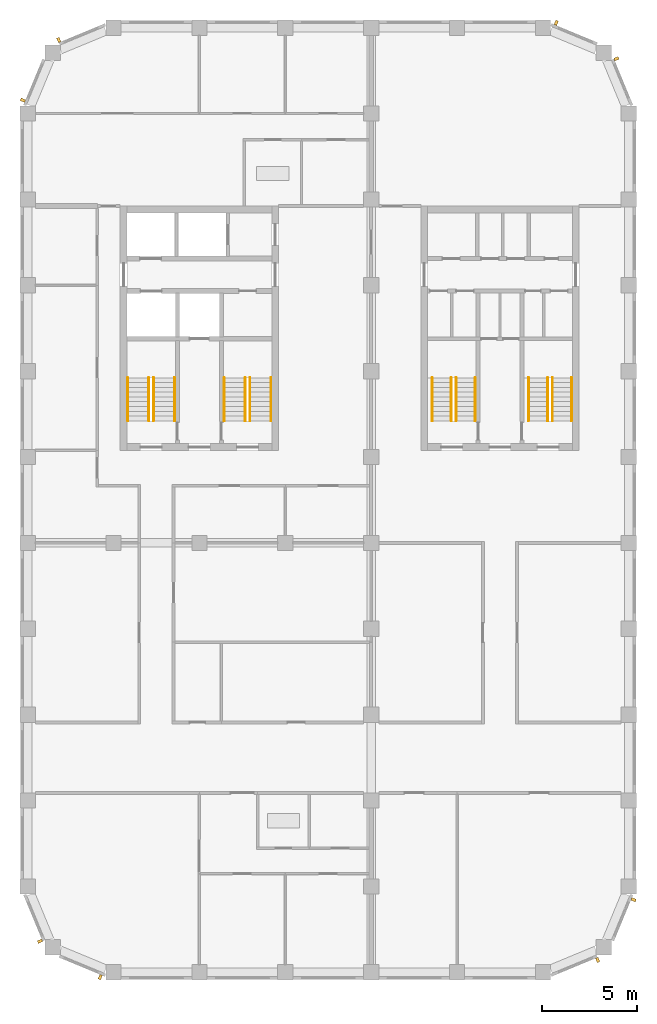
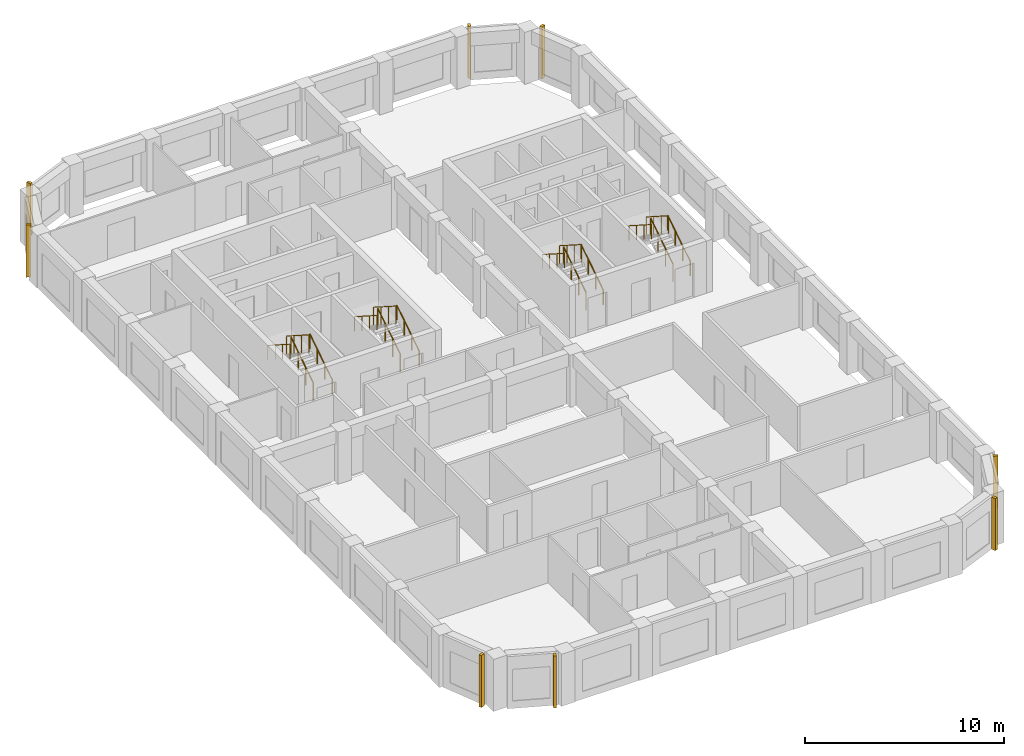
# One storey, part 8 of 9: 16 railings, 8 shading devices.
"""IFC4 building model written with IfcOpenShell, lengths in metres."""

from ifc_helpers import new_model, si_unit, direction, frame, origin, origin_2d, place, context, subcontext, project, spatial, rectangle, circle, extrude, material, type_object, element, save


model = new_model("IFC4")

# Units and contexts
model_context = context("Model", 3, precision=1e-05, world=origin(), true_north=direction((0.0, 1.0)))
body_context = subcontext(model_context, "Body", "Model", "MODEL_VIEW")
ifc_project = project(units=[si_unit("LENGTHUNIT", "METRE"), si_unit("AREAUNIT", "SQUARE_METRE"), si_unit("VOLUMEUNIT", "CUBIC_METRE"), si_unit("PLANEANGLEUNIT", "RADIAN"), si_unit("MASSUNIT", "GRAM", prefix="KILO")], contexts=[model_context])

# Site, building, storey
site_placement = place(None, origin())
site = spatial("IfcSite", under=ifc_project, at=site_placement, CompositionType="ELEMENT")
building_placement = place(site_placement, origin())
building = spatial("IfcBuilding", under=site, at=building_placement, Name="Girih Gate Residences", CompositionType="ELEMENT")
storey_placement = place(building_placement, frame((0.0, 0.0, 189.10009765625)))
storey = spatial("IfcBuildingStorey", under=building, at=storey_placement, Name="L52", CompositionType="ELEMENT", Elevation=189.10009765625)

# Shading devices
ifc_material_1 = material(Name="Precast concrete C50/60", Category="concrete")
shading_device_type = type_object("IfcShadingDeviceType", Name="Corner rib 150x250", PredefinedType="USERDEFINED", material=ifc_material_1)
for number, where, z_axis, x_axis, name in (
    (1, (29.867919921875, 0.646728515625, 0.0), (0.0, 0.0, 1.0), (0.923879532511, 0.382683432365, 0.0), "Corner rib SE0270_0000.0"),
    (2, (31.752685546875, 3.80322265625, 0.0), (0.0, 0.0, 1.0), (0.382683432365, 0.923879532511, 0.0), "Corner rib SE0302_0013.0"),
    (3, (30.853271484375, 47.867919921875, 0.0), (0.0, 0.0, 1.0), (-0.382683432365, 0.923879532511, 0.0), "Corner rib NE0315_0450.0"),
    (4, (27.69677734375, 49.752685546875, 0.0), (0.0, 0.0, 1.0), (-0.923879532511, 0.382683432365, 0.0), "Corner rib NE0302_0482.0"),
    (5, (1.632080078125, 48.853271484375, 0.0), (0.0, 0.0, 1.0), (-0.923879532511, -0.382683432365, 0.0), "Corner rib NW0045_0495.0"),
    (6, (-0.252685546875, 45.69677734375, 0.0), (0.0, 0.0, 1.0), (-0.382683432365, -0.923879532511, 0.0), "Corner rib NW0013_0482.0"),
    (7, (0.646728515625, 1.632080078125, 0.0), (0.0, 0.0, 1.0), (0.382683432365, -0.923879532511, 0.0), "Corner rib SW0000_0045.0"),
    (8, (3.80322265625, -0.252685546875, 0.0), (0.0, 0.0, 1.0), (0.923879532511, -0.382683432365, 0.0), "Corner rib SW0013_0013.0"),
):
    element("IfcShadingDevice", number, at=place(storey_placement, frame(where, z_axis=z_axis, x_axis=x_axis)), inside=storey, type_object=shading_device_type, Name=name, ObjectType="FIN", PredefinedType="USERDEFINED", context=body_context, shape_type="SweptSolid", body=[
        extrude(rectangle(XDim=0.14990234375, YDim=0.25, at=origin_2d()), origin(), (0.0, 0.0, 1.0), 3.199951171875),
    ])

# Railings
ifc_material_2 = material(Name="Stainless steel", Category="steel")
railing_type_1 = type_object("IfcRailingType", Name="Stair guard 1100", PredefinedType="GUARDRAIL", material=ifc_material_2)
railing_1_placement = place(storey_placement, frame((6.60009765625, 28.89990234375, 0.159912109375)))
element("IfcRailing", 9, at=railing_1_placement, inside=storey, type_object=railing_type_1, Name="L52 ST-W1 stair guard 1", PredefinedType="GUARDRAIL", context=body_context, shape_type="SweptSolid", body=[
    extrude(circle(Radius=0.02392578125, at=origin_2d()), frame((0.0, 0.0, 1.076171875), z_axis=(0.0, 0.842281359387, 0.539038135598), x_axis=(-1.0, 0.0, 0.0)), (0.0, 0.0, 1.0), 2.67138671875),
    extrude(circle(Radius=0.02099609375, at=origin_2d()), origin(), (0.0, 0.0, 1.0), 1.052001953125),
    extrude(circle(Radius=0.02099609375, at=origin_2d()), frame((0.0, 0.75, 0.47998046875)), (0.0, 0.0, 1.0), 1.052001953125),
    extrude(circle(Radius=0.02099609375, at=origin_2d()), frame((0.0, 1.5, 0.9599609375)), (0.0, 0.0, 1.0), 1.052001953125),
    extrude(circle(Radius=0.02099609375, at=origin_2d()), frame((0.0, 2.25, 1.43994140625)), (0.0, 0.0, 1.0), 1.052001953125),
])
railing_2_placement = place(storey_placement, frame((6.35009765625, 31.14990234375, 1.760009765625)))
element("IfcRailing", 10, at=railing_2_placement, inside=storey, type_object=railing_type_1, Name="L52 ST-W1 stair guard 2", PredefinedType="GUARDRAIL", context=body_context, shape_type="SweptSolid", body=[
    extrude(circle(Radius=0.02392578125, at=origin_2d()), frame((0.0, 0.0, 1.076171875), z_axis=(0.0, -0.842281359387, 0.539038135598), x_axis=(1.0, 0.0, 0.0)), (0.0, 0.0, 1.0), 2.67138671875),
    extrude(circle(Radius=0.02099609375, at=origin_2d()), origin(), (0.0, 0.0, 1.0), 1.052001953125),
    extrude(circle(Radius=0.02099609375, at=origin_2d()), frame((0.0, -0.75, 0.47998046875)), (0.0, 0.0, 1.0), 1.052001953125),
    extrude(circle(Radius=0.02099609375, at=origin_2d()), frame((0.0, -1.5, 0.9599609375)), (0.0, 0.0, 1.0), 1.052001953125),
    extrude(circle(Radius=0.02099609375, at=origin_2d()), frame((0.0, -2.25, 1.43994140625)), (0.0, 0.0, 1.0), 1.052001953125),
])
railing_3_placement = place(storey_placement, frame((11.64990234375, 28.89990234375, 0.159912109375)))
element("IfcRailing", 11, at=railing_3_placement, inside=storey, type_object=railing_type_1, Name="L52 ST-W2 stair guard 1", PredefinedType="GUARDRAIL", context=body_context, shape_type="SweptSolid", body=[
    extrude(circle(Radius=0.02392578125, at=origin_2d()), frame((0.0, 0.0, 1.076171875), z_axis=(0.0, 0.842281359387, 0.539038135598), x_axis=(-1.0, 0.0, 0.0)), (0.0, 0.0, 1.0), 2.67138671875),
    extrude(circle(Radius=0.02099609375, at=origin_2d()), origin(), (0.0, 0.0, 1.0), 1.052001953125),
    extrude(circle(Radius=0.02099609375, at=origin_2d()), frame((0.0, 0.75, 0.47998046875)), (0.0, 0.0, 1.0), 1.052001953125),
    extrude(circle(Radius=0.02099609375, at=origin_2d()), frame((0.0, 1.5, 0.9599609375)), (0.0, 0.0, 1.0), 1.052001953125),
    extrude(circle(Radius=0.02099609375, at=origin_2d()), frame((0.0, 2.25, 1.43994140625)), (0.0, 0.0, 1.0), 1.052001953125),
])
railing_4_placement = place(storey_placement, frame((11.39990234375, 31.14990234375, 1.760009765625)))
element("IfcRailing", 12, at=railing_4_placement, inside=storey, type_object=railing_type_1, Name="L52 ST-W2 stair guard 2", PredefinedType="GUARDRAIL", context=body_context, shape_type="SweptSolid", body=[
    extrude(circle(Radius=0.02392578125, at=origin_2d()), frame((0.0, 0.0, 1.076171875), z_axis=(0.0, -0.842281359387, 0.539038135598), x_axis=(1.0, 0.0, 0.0)), (0.0, 0.0, 1.0), 2.67138671875),
    extrude(circle(Radius=0.02099609375, at=origin_2d()), origin(), (0.0, 0.0, 1.0), 1.052001953125),
    extrude(circle(Radius=0.02099609375, at=origin_2d()), frame((0.0, -0.75, 0.47998046875)), (0.0, 0.0, 1.0), 1.052001953125),
    extrude(circle(Radius=0.02099609375, at=origin_2d()), frame((0.0, -1.5, 0.9599609375)), (0.0, 0.0, 1.0), 1.052001953125),
    extrude(circle(Radius=0.02099609375, at=origin_2d()), frame((0.0, -2.25, 1.43994140625)), (0.0, 0.0, 1.0), 1.052001953125),
])
railing_5_placement = place(storey_placement, frame((22.449951171875, 28.89990234375, 0.159912109375)))
element("IfcRailing", 13, at=railing_5_placement, inside=storey, type_object=railing_type_1, Name="L52 ST-C1 stair guard 1", PredefinedType="GUARDRAIL", context=body_context, shape_type="SweptSolid", body=[
    extrude(circle(Radius=0.02392578125, at=origin_2d()), frame((0.0, 0.0, 1.076171875), z_axis=(0.0, 0.842281359387, 0.539038135598), x_axis=(-1.0, 0.0, 0.0)), (0.0, 0.0, 1.0), 2.67138671875),
    extrude(circle(Radius=0.02099609375, at=origin_2d()), origin(), (0.0, 0.0, 1.0), 1.052001953125),
    extrude(circle(Radius=0.02099609375, at=origin_2d()), frame((0.0, 0.75, 0.47998046875)), (0.0, 0.0, 1.0), 1.052001953125),
    extrude(circle(Radius=0.02099609375, at=origin_2d()), frame((0.0, 1.5, 0.9599609375)), (0.0, 0.0, 1.0), 1.052001953125),
    extrude(circle(Radius=0.02099609375, at=origin_2d()), frame((0.0, 2.25, 1.43994140625)), (0.0, 0.0, 1.0), 1.052001953125),
])
railing_6_placement = place(storey_placement, frame((22.199951171875, 31.14990234375, 1.760009765625)))
element("IfcRailing", 14, at=railing_6_placement, inside=storey, type_object=railing_type_1, Name="L52 ST-C1 stair guard 2", PredefinedType="GUARDRAIL", context=body_context, shape_type="SweptSolid", body=[
    extrude(circle(Radius=0.02392578125, at=origin_2d()), frame((0.0, 0.0, 1.076171875), z_axis=(0.0, -0.842281359387, 0.539038135598), x_axis=(1.0, 0.0, 0.0)), (0.0, 0.0, 1.0), 2.67138671875),
    extrude(circle(Radius=0.02099609375, at=origin_2d()), origin(), (0.0, 0.0, 1.0), 1.052001953125),
    extrude(circle(Radius=0.02099609375, at=origin_2d()), frame((0.0, -0.75, 0.47998046875)), (0.0, 0.0, 1.0), 1.052001953125),
    extrude(circle(Radius=0.02099609375, at=origin_2d()), frame((0.0, -1.5, 0.9599609375)), (0.0, 0.0, 1.0), 1.052001953125),
    extrude(circle(Radius=0.02099609375, at=origin_2d()), frame((0.0, -2.25, 1.43994140625)), (0.0, 0.0, 1.0), 1.052001953125),
])
railing_7_placement = place(storey_placement, frame((27.5, 28.89990234375, 0.159912109375)))
element("IfcRailing", 15, at=railing_7_placement, inside=storey, type_object=railing_type_1, Name="L52 ST-C2 stair guard 1", PredefinedType="GUARDRAIL", context=body_context, shape_type="SweptSolid", body=[
    extrude(circle(Radius=0.02392578125, at=origin_2d()), frame((0.0, 0.0, 1.076171875), z_axis=(0.0, 0.842281359387, 0.539038135598), x_axis=(-1.0, 0.0, 0.0)), (0.0, 0.0, 1.0), 2.67138671875),
    extrude(circle(Radius=0.02099609375, at=origin_2d()), origin(), (0.0, 0.0, 1.0), 1.052001953125),
    extrude(circle(Radius=0.02099609375, at=origin_2d()), frame((0.0, 0.75, 0.47998046875)), (0.0, 0.0, 1.0), 1.052001953125),
    extrude(circle(Radius=0.02099609375, at=origin_2d()), frame((0.0, 1.5, 0.9599609375)), (0.0, 0.0, 1.0), 1.052001953125),
    extrude(circle(Radius=0.02099609375, at=origin_2d()), frame((0.0, 2.25, 1.43994140625)), (0.0, 0.0, 1.0), 1.052001953125),
])
railing_8_placement = place(storey_placement, frame((27.25, 31.14990234375, 1.760009765625)))
element("IfcRailing", 16, at=railing_8_placement, inside=storey, type_object=railing_type_1, Name="L52 ST-C2 stair guard 2", PredefinedType="GUARDRAIL", context=body_context, shape_type="SweptSolid", body=[
    extrude(circle(Radius=0.02392578125, at=origin_2d()), frame((0.0, 0.0, 1.076171875), z_axis=(0.0, -0.842281359387, 0.539038135598), x_axis=(1.0, 0.0, 0.0)), (0.0, 0.0, 1.0), 2.67138671875),
    extrude(circle(Radius=0.02099609375, at=origin_2d()), origin(), (0.0, 0.0, 1.0), 1.052001953125),
    extrude(circle(Radius=0.02099609375, at=origin_2d()), frame((0.0, -0.75, 0.47998046875)), (0.0, 0.0, 1.0), 1.052001953125),
    extrude(circle(Radius=0.02099609375, at=origin_2d()), frame((0.0, -1.5, 0.9599609375)), (0.0, 0.0, 1.0), 1.052001953125),
    extrude(circle(Radius=0.02099609375, at=origin_2d()), frame((0.0, -2.25, 1.43994140625)), (0.0, 0.0, 1.0), 1.052001953125),
])
railing_type_2 = type_object("IfcRailingType", Name="Stair handrail 900", PredefinedType="HANDRAIL", material=ifc_material_2)
railing_9_placement = place(storey_placement, frame((7.699951171875, 28.89990234375, 0.159912109375)))
element("IfcRailing", 17, at=railing_9_placement, inside=storey, type_object=railing_type_2, Name="L52 ST-W1 stair handrail 1", PredefinedType="HANDRAIL", context=body_context, shape_type="SweptSolid", body=[
    extrude(circle(Radius=0.02392578125, at=origin_2d()), frame((0.0, 0.0, 0.8857421875), z_axis=(0.0, 0.842281359387, 0.539038135598), x_axis=(-1.0, 0.0, 0.0)), (0.0, 0.0, 1.0), 2.67138671875),
    extrude(circle(Radius=0.02099609375, at=origin_2d()), origin(), (0.0, 0.0, 1.0), 0.86181640625),
    extrude(circle(Radius=0.02099609375, at=origin_2d()), frame((0.0, 0.75, 0.47998046875)), (0.0, 0.0, 1.0), 0.86181640625),
    extrude(circle(Radius=0.02099609375, at=origin_2d()), frame((0.0, 1.5, 0.9599609375)), (0.0, 0.0, 1.0), 0.86181640625),
    extrude(circle(Radius=0.02099609375, at=origin_2d()), frame((0.0, 2.25, 1.43994140625)), (0.0, 0.0, 1.0), 0.86181640625),
])
railing_10_placement = place(storey_placement, frame((5.25, 31.14990234375, 1.760009765625)))
element("IfcRailing", 18, at=railing_10_placement, inside=storey, type_object=railing_type_2, Name="L52 ST-W1 stair handrail 2", PredefinedType="HANDRAIL", context=body_context, shape_type="SweptSolid", body=[
    extrude(circle(Radius=0.02392578125, at=origin_2d()), frame((0.0, 0.0, 0.8857421875), z_axis=(0.0, -0.842281359387, 0.539038135598), x_axis=(1.0, 0.0, 0.0)), (0.0, 0.0, 1.0), 2.67138671875),
    extrude(circle(Radius=0.02099609375, at=origin_2d()), origin(), (0.0, 0.0, 1.0), 0.86181640625),
    extrude(circle(Radius=0.02099609375, at=origin_2d()), frame((0.0, -0.75, 0.47998046875)), (0.0, 0.0, 1.0), 0.86181640625),
    extrude(circle(Radius=0.02099609375, at=origin_2d()), frame((0.0, -1.5, 0.9599609375)), (0.0, 0.0, 1.0), 0.86181640625),
    extrude(circle(Radius=0.02099609375, at=origin_2d()), frame((0.0, -2.25, 1.43994140625)), (0.0, 0.0, 1.0), 0.86181640625),
])
railing_11_placement = place(storey_placement, frame((12.75, 28.89990234375, 0.159912109375)))
element("IfcRailing", 19, at=railing_11_placement, inside=storey, type_object=railing_type_2, Name="L52 ST-W2 stair handrail 1", PredefinedType="HANDRAIL", context=body_context, shape_type="SweptSolid", body=[
    extrude(circle(Radius=0.02392578125, at=origin_2d()), frame((0.0, 0.0, 0.8857421875), z_axis=(0.0, 0.842281359387, 0.539038135598), x_axis=(-1.0, 0.0, 0.0)), (0.0, 0.0, 1.0), 2.67138671875),
    extrude(circle(Radius=0.02099609375, at=origin_2d()), origin(), (0.0, 0.0, 1.0), 0.86181640625),
    extrude(circle(Radius=0.02099609375, at=origin_2d()), frame((0.0, 0.75, 0.47998046875)), (0.0, 0.0, 1.0), 0.86181640625),
    extrude(circle(Radius=0.02099609375, at=origin_2d()), frame((0.0, 1.5, 0.9599609375)), (0.0, 0.0, 1.0), 0.86181640625),
    extrude(circle(Radius=0.02099609375, at=origin_2d()), frame((0.0, 2.25, 1.43994140625)), (0.0, 0.0, 1.0), 0.86181640625),
])
railing_12_placement = place(storey_placement, frame((10.300048828125, 31.14990234375, 1.760009765625)))
element("IfcRailing", 20, at=railing_12_placement, inside=storey, type_object=railing_type_2, Name="L52 ST-W2 stair handrail 2", PredefinedType="HANDRAIL", context=body_context, shape_type="SweptSolid", body=[
    extrude(circle(Radius=0.02392578125, at=origin_2d()), frame((0.0, 0.0, 0.8857421875), z_axis=(0.0, -0.842281359387, 0.539038135598), x_axis=(1.0, 0.0, 0.0)), (0.0, 0.0, 1.0), 2.67138671875),
    extrude(circle(Radius=0.02099609375, at=origin_2d()), origin(), (0.0, 0.0, 1.0), 0.86181640625),
    extrude(circle(Radius=0.02099609375, at=origin_2d()), frame((0.0, -0.75, 0.47998046875)), (0.0, 0.0, 1.0), 0.86181640625),
    extrude(circle(Radius=0.02099609375, at=origin_2d()), frame((0.0, -1.5, 0.9599609375)), (0.0, 0.0, 1.0), 0.86181640625),
    extrude(circle(Radius=0.02099609375, at=origin_2d()), frame((0.0, -2.25, 1.43994140625)), (0.0, 0.0, 1.0), 0.86181640625),
])
railing_13_placement = place(storey_placement, frame((23.449951171875, 28.89990234375, 0.159912109375)))
element("IfcRailing", 21, at=railing_13_placement, inside=storey, type_object=railing_type_2, Name="L52 ST-C1 stair handrail 1", PredefinedType="HANDRAIL", context=body_context, shape_type="SweptSolid", body=[
    extrude(circle(Radius=0.02392578125, at=origin_2d()), frame((0.0, 0.0, 0.8857421875), z_axis=(0.0, 0.842281359387, 0.539038135598), x_axis=(-1.0, 0.0, 0.0)), (0.0, 0.0, 1.0), 2.67138671875),
    extrude(circle(Radius=0.02099609375, at=origin_2d()), origin(), (0.0, 0.0, 1.0), 0.86181640625),
    extrude(circle(Radius=0.02099609375, at=origin_2d()), frame((0.0, 0.75, 0.47998046875)), (0.0, 0.0, 1.0), 0.86181640625),
    extrude(circle(Radius=0.02099609375, at=origin_2d()), frame((0.0, 1.5, 0.9599609375)), (0.0, 0.0, 1.0), 0.86181640625),
    extrude(circle(Radius=0.02099609375, at=origin_2d()), frame((0.0, 2.25, 1.43994140625)), (0.0, 0.0, 1.0), 0.86181640625),
])
railing_14_placement = place(storey_placement, frame((21.199951171875, 31.14990234375, 1.760009765625)))
element("IfcRailing", 22, at=railing_14_placement, inside=storey, type_object=railing_type_2, Name="L52 ST-C1 stair handrail 2", PredefinedType="HANDRAIL", context=body_context, shape_type="SweptSolid", body=[
    extrude(circle(Radius=0.02392578125, at=origin_2d()), frame((0.0, 0.0, 0.8857421875), z_axis=(0.0, -0.842281359387, 0.539038135598), x_axis=(1.0, 0.0, 0.0)), (0.0, 0.0, 1.0), 2.67138671875),
    extrude(circle(Radius=0.02099609375, at=origin_2d()), origin(), (0.0, 0.0, 1.0), 0.86181640625),
    extrude(circle(Radius=0.02099609375, at=origin_2d()), frame((0.0, -0.75, 0.47998046875)), (0.0, 0.0, 1.0), 0.86181640625),
    extrude(circle(Radius=0.02099609375, at=origin_2d()), frame((0.0, -1.5, 0.9599609375)), (0.0, 0.0, 1.0), 0.86181640625),
    extrude(circle(Radius=0.02099609375, at=origin_2d()), frame((0.0, -2.25, 1.43994140625)), (0.0, 0.0, 1.0), 0.86181640625),
])
railing_15_placement = place(storey_placement, frame((28.5, 28.89990234375, 0.159912109375)))
element("IfcRailing", 23, at=railing_15_placement, inside=storey, type_object=railing_type_2, Name="L52 ST-C2 stair handrail 1", PredefinedType="HANDRAIL", context=body_context, shape_type="SweptSolid", body=[
    extrude(circle(Radius=0.02392578125, at=origin_2d()), frame((0.0, 0.0, 0.8857421875), z_axis=(0.0, 0.842281359387, 0.539038135598), x_axis=(-1.0, 0.0, 0.0)), (0.0, 0.0, 1.0), 2.67138671875),
    extrude(circle(Radius=0.02099609375, at=origin_2d()), origin(), (0.0, 0.0, 1.0), 0.86181640625),
    extrude(circle(Radius=0.02099609375, at=origin_2d()), frame((0.0, 0.75, 0.47998046875)), (0.0, 0.0, 1.0), 0.86181640625),
    extrude(circle(Radius=0.02099609375, at=origin_2d()), frame((0.0, 1.5, 0.9599609375)), (0.0, 0.0, 1.0), 0.86181640625),
    extrude(circle(Radius=0.02099609375, at=origin_2d()), frame((0.0, 2.25, 1.43994140625)), (0.0, 0.0, 1.0), 0.86181640625),
])
railing_16_placement = place(storey_placement, frame((26.25, 31.14990234375, 1.760009765625)))
element("IfcRailing", 24, at=railing_16_placement, inside=storey, type_object=railing_type_2, Name="L52 ST-C2 stair handrail 2", PredefinedType="HANDRAIL", context=body_context, shape_type="SweptSolid", body=[
    extrude(circle(Radius=0.02392578125, at=origin_2d()), frame((0.0, 0.0, 0.8857421875), z_axis=(0.0, -0.842281359387, 0.539038135598), x_axis=(1.0, 0.0, 0.0)), (0.0, 0.0, 1.0), 2.67138671875),
    extrude(circle(Radius=0.02099609375, at=origin_2d()), origin(), (0.0, 0.0, 1.0), 0.86181640625),
    extrude(circle(Radius=0.02099609375, at=origin_2d()), frame((0.0, -0.75, 0.47998046875)), (0.0, 0.0, 1.0), 0.86181640625),
    extrude(circle(Radius=0.02099609375, at=origin_2d()), frame((0.0, -1.5, 0.9599609375)), (0.0, 0.0, 1.0), 0.86181640625),
    extrude(circle(Radius=0.02099609375, at=origin_2d()), frame((0.0, -2.25, 1.43994140625)), (0.0, 0.0, 1.0), 0.86181640625),
])

save(model, "model.ifc")
